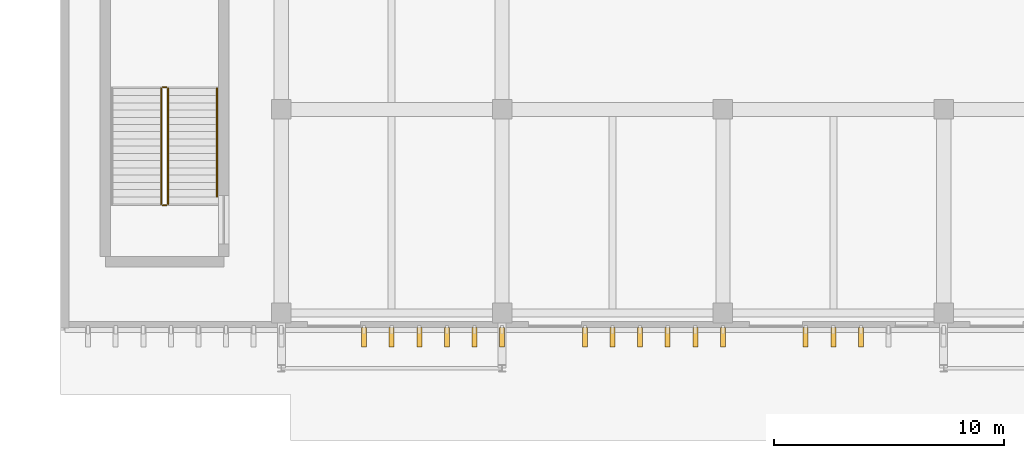
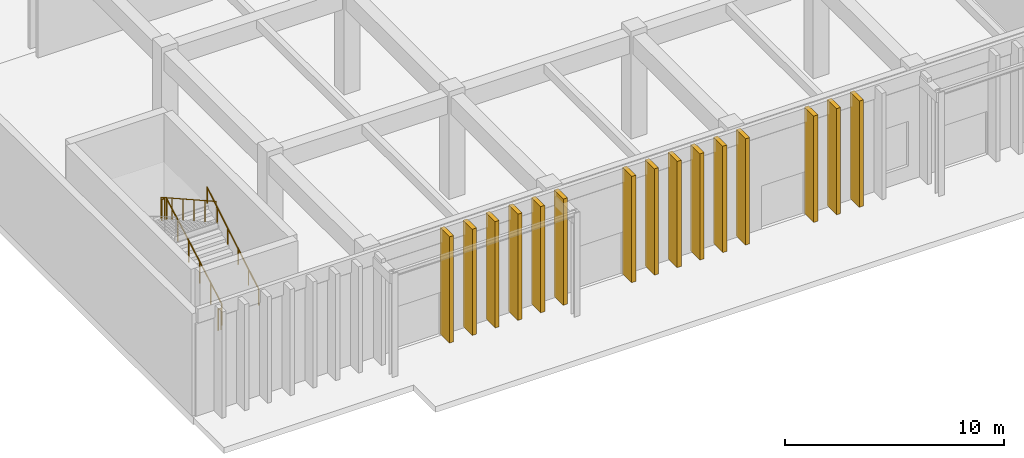
# One storey, part 63 of 87: 15 coverings, 15 shading devices, 5 railings.
"""IFC4 building model written with IfcOpenShell, lengths in metres."""

from ifc_helpers import new_model, si_unit, direction, frame, origin, origin_2d, place, context, subcontext, project, spatial, rectangle, circle, extrude, material, layer, layer_set, type_object, element, save


model = new_model("IFC4")

# Units and contexts
model_context = context("Model", 3, precision=1e-05, world=origin(), true_north=direction((0.0, 1.0)))
body_context = subcontext(model_context, "Body", "Model", "MODEL_VIEW")
ifc_project = project(units=[si_unit("LENGTHUNIT", "METRE"), si_unit("AREAUNIT", "SQUARE_METRE"), si_unit("VOLUMEUNIT", "CUBIC_METRE"), si_unit("PLANEANGLEUNIT", "RADIAN"), si_unit("MASSUNIT", "GRAM", prefix="KILO")], contexts=[model_context])

# Site, building, storey
site_placement = place(None, origin())
site = spatial("IfcSite", under=ifc_project, at=site_placement, CompositionType="ELEMENT")
building_placement = place(site_placement, origin())
building = spatial("IfcBuilding", under=site, at=building_placement, Name="Nakhvara Creek Congress Hotel", CompositionType="ELEMENT")
storey_placement = place(building_placement, origin())
storey = spatial("IfcBuildingStorey", under=building, at=storey_placement, Name="L00", CompositionType="ELEMENT", Elevation=0.0)

# Coverings
ifc_material_1 = material(Name="Honed pale Omani limestone architectural cladding", Category="masonry")
ifc_layer = layer(ifc_material_1, 0.219970703125)
ifc_layer_set = layer_set([ifc_layer], Name="Honed pale Omani limestone architectural cladding")
covering_type = type_object("IfcCoveringType", Name="COV-FIN-850", PredefinedType="CLADDING", material=ifc_layer_set)
for number, where, z_axis, x_axis, name in (
    (1, (70.800048828125, -0.304931640625, 0.0), (0.0, 0.0, 1.0), (1.0, 0.0, 0.0), "Pale Limestone Fin Cladding CF01-0050"),
    (2, (72.0, -0.304931640625, 0.0), (0.0, 0.0, 1.0), (1.0, 0.0, 0.0), "Pale Limestone Fin Cladding CF01-0051"),
    (3, (73.199951171875, -0.304931640625, 0.0), (0.0, 0.0, 1.0), (1.0, 0.0, 0.0), "Pale Limestone Fin Cladding CF01-0052"),
    (4, (74.39990234375, -0.304931640625, 0.0), (0.0, 0.0, 1.0), (1.0, 0.0, 0.0), "Pale Limestone Fin Cladding CF01-0053"),
    (5, (75.60009765625, -0.304931640625, 0.0), (0.0, 0.0, 1.0), (1.0, 0.0, 0.0), "Pale Limestone Fin Cladding CF01-0054"),
    (6, (76.800048828125, -0.304931640625, 0.0), (0.0, 0.0, 1.0), (1.0, 0.0, 0.0), "Pale Limestone Fin Cladding CF01-0055"),
    (7, (80.39990234375, -0.304931640625, 0.0), (0.0, 0.0, 1.0), (1.0, 0.0, 0.0), "Pale Limestone Fin Cladding CF01-0056"),
    (8, (81.60009765625, -0.304931640625, 0.0), (0.0, 0.0, 1.0), (1.0, 0.0, 0.0), "Pale Limestone Fin Cladding CF01-0057"),
    (9, (82.800048828125, -0.304931640625, 0.0), (0.0, 0.0, 1.0), (1.0, 0.0, 0.0), "Pale Limestone Fin Cladding CF01-0058"),
    (10, (84.0, -0.304931640625, 0.0), (0.0, 0.0, 1.0), (1.0, 0.0, 0.0), "Pale Limestone Fin Cladding CF01-0059"),
    (11, (85.199951171875, -0.304931640625, 0.0), (0.0, 0.0, 1.0), (1.0, 0.0, 0.0), "Pale Limestone Fin Cladding CF01-0060"),
    (12, (86.39990234375, -0.304931640625, 0.0), (0.0, 0.0, 1.0), (1.0, 0.0, 0.0), "Pale Limestone Fin Cladding CF01-0061"),
    (13, (90.0, -0.304931640625, 0.0), (0.0, 0.0, 1.0), (1.0, 0.0, 0.0), "Pale Limestone Fin Cladding CF01-0062"),
    (14, (91.199951171875, -0.304931640625, 0.0), (0.0, 0.0, 1.0), (1.0, 0.0, 0.0), "Pale Limestone Fin Cladding CF01-0063"),
    (15, (92.39990234375, -0.304931640625, 0.0), (0.0, 0.0, 1.0), (1.0, 0.0, 0.0), "Pale Limestone Fin Cladding CF01-0064"),
):
    element("IfcCovering", number, at=place(storey_placement, frame(where, z_axis=z_axis, x_axis=x_axis)), inside=storey, type_object=covering_type, Name=name, PredefinedType="CLADDING", context=body_context, shape_type="SweptSolid", body=[
        extrude(rectangle(XDim=0.219970703125, YDim=0.85009765625, at=origin_2d()), origin(), (0.0, 0.0, 1.0), 5.919921875),
    ])

# Railings
ifc_material_2 = material(Name="Brushed stainless steel 316L", Category="steel")
railing_type_1 = type_object("IfcRailingType", Name="RL-GUARD-1200", PredefinedType="GUARDRAIL", material=ifc_material_2)
railing_1_placement = place(storey_placement, frame((62.27490234375, 5.47998046875, 0.176513671875)))
element("IfcRailing", 16, at=railing_1_placement, inside=storey, type_object=railing_type_1, Name="L00 ST11 stair guard 1", PredefinedType="GUARDRAIL", context=body_context, shape_type="SweptSolid", body=[
    extrude(circle(Radius=0.02392578125, at=origin_2d()), frame((0.0, 0.012939453125, 1.18310546875), z_axis=(0.0, 0.872427454555, 0.488743630688), x_axis=(-1.0, 0.0, 0.0)), (0.0, 0.0, 1.0), 5.74755859375),
    extrude(circle(Radius=0.02099609375, at=origin_2d()), origin(), (0.0, 0.0, 1.0), 1.1806640625),
    extrude(circle(Radius=0.02099609375, at=origin_2d()), frame((0.0, 1.008056640625, 0.564697265625)), (0.0, 0.0, 1.0), 1.1806640625),
    extrude(circle(Radius=0.02099609375, at=origin_2d()), frame((0.0, 2.01611328125, 1.12939453125)), (0.0, 0.0, 1.0), 1.1806640625),
    extrude(circle(Radius=0.02099609375, at=origin_2d()), frame((0.0, 3.02392578125, 1.694091796875)), (0.0, 0.0, 1.0), 1.1806640625),
    extrude(circle(Radius=0.02099609375, at=origin_2d()), frame((0.0, 4.031982421875, 2.2587890625)), (0.0, 0.0, 1.0), 1.1806640625),
    extrude(circle(Radius=0.02099609375, at=origin_2d()), frame((0.0, 5.0400390625, 2.823486328125)), (0.0, 0.0, 1.0), 1.1806640625),
])
railing_2_placement = place(storey_placement, frame((62.199951171875, 10.570068359375, 3.0)))
element("IfcRailing", 17, at=railing_2_placement, inside=storey, type_object=railing_type_1, Name="L00 ST11 stair guard 2", PredefinedType="GUARDRAIL", context=body_context, shape_type="SweptSolid", body=[
    extrude(circle(Radius=0.02392578125, at=origin_2d()), frame((-0.0146484375, 0.0, 1.17578125), z_axis=(-1.0, 0.0, 0.0), x_axis=(0.0, -1.0, 0.0)), (0.0, 0.0, 1.0), 0.12060546875),
    extrude(circle(Radius=0.02099609375, at=origin_2d()), origin(), (0.0, 0.0, 1.0), 1.1806640625),
    extrude(circle(Radius=0.02099609375, at=origin_2d()), frame((-0.14990234375, 0.0, 0.0)), (0.0, 0.0, 1.0), 1.1806640625),
])
railing_3_placement = place(storey_placement, frame((61.97509765625, 10.52001953125, 3.176513671875)))
element("IfcRailing", 18, at=railing_3_placement, inside=storey, type_object=railing_type_1, Name="L00 ST11 stair guard 3", PredefinedType="GUARDRAIL", context=body_context, shape_type="SweptSolid", body=[
    extrude(circle(Radius=0.02392578125, at=origin_2d()), frame((0.0, -0.012939453125, 1.18310546875), z_axis=(0.0, -0.872427454555, 0.488743630688), x_axis=(1.0, 0.0, 0.0)), (0.0, 0.0, 1.0), 5.74755859375),
    extrude(circle(Radius=0.02099609375, at=origin_2d()), origin(), (0.0, 0.0, 1.0), 1.1806640625),
    extrude(circle(Radius=0.02099609375, at=origin_2d()), frame((0.0, -1.008056640625, 0.564697265625)), (0.0, 0.0, 1.0), 1.1806640625),
    extrude(circle(Radius=0.02099609375, at=origin_2d()), frame((0.0, -2.01611328125, 1.12939453125)), (0.0, 0.0, 1.0), 1.1806640625),
    extrude(circle(Radius=0.02099609375, at=origin_2d()), frame((0.0, -3.02392578125, 1.694091796875)), (0.0, 0.0, 1.0), 1.1806640625),
    extrude(circle(Radius=0.02099609375, at=origin_2d()), frame((0.0, -4.031982421875, 2.2587890625)), (0.0, 0.0, 1.0), 1.1806640625),
    extrude(circle(Radius=0.02099609375, at=origin_2d()), frame((0.0, -5.0400390625, 2.823486328125)), (0.0, 0.0, 1.0), 1.1806640625),
])
railing_4_placement = place(storey_placement, frame((62.199951171875, 5.429931640625, 0.0)))
element("IfcRailing", 19, at=railing_4_placement, inside=storey, type_object=railing_type_1, Name="L00 ST11 stair guard 4", PredefinedType="GUARDRAIL", context=body_context, shape_type="SweptSolid", body=[
    extrude(circle(Radius=0.02392578125, at=origin_2d()), frame((-0.0146484375, 0.0, 1.17578125), z_axis=(-1.0, 0.0, 0.0), x_axis=(0.0, -1.0, 0.0)), (0.0, 0.0, 1.0), 0.12060546875),
    extrude(circle(Radius=0.02099609375, at=origin_2d()), origin(), (0.0, 0.0, 1.0), 1.1806640625),
    extrude(circle(Radius=0.02099609375, at=origin_2d()), frame((-0.14990234375, 0.0, 0.0)), (0.0, 0.0, 1.0), 1.1806640625),
])
railing_type_2 = type_object("IfcRailingType", Name="RL-HAND-900", PredefinedType="HANDRAIL", material=ifc_material_2)
railing_5_placement = place(storey_placement, frame((64.405029296875, 5.794921875, 0.35302734375)))
element("IfcRailing", 20, at=railing_5_placement, inside=storey, type_object=railing_type_2, Name="L00 ST11 stair handrail 1", PredefinedType="HANDRAIL", context=body_context, shape_type="SweptSolid", body=[
    extrude(circle(Radius=0.02392578125, at=origin_2d()), frame((0.0, 0.0126953125, 0.88330078125), z_axis=(0.0, 0.857539836654, 0.514417562445), x_axis=(-1.0, 0.0, 0.0)), (0.0, 0.0, 1.0), 5.480712890625),
    extrude(circle(Radius=0.02099609375, at=origin_2d()), origin(), (0.0, 0.0, 1.0), 0.880615234375),
    extrude(circle(Radius=0.02099609375, at=origin_2d()), frame((0.0, 0.945068359375, 0.56689453125)), (0.0, 0.0, 1.0), 0.880615234375),
    extrude(circle(Radius=0.02099609375, at=origin_2d()), frame((0.0, 1.89013671875, 1.1337890625)), (0.0, 0.0, 1.0), 0.880615234375),
    extrude(circle(Radius=0.02099609375, at=origin_2d()), frame((0.0, 2.8349609375, 1.70068359375)), (0.0, 0.0, 1.0), 0.880615234375),
    extrude(circle(Radius=0.02099609375, at=origin_2d()), frame((0.0, 3.780029296875, 2.267578125)), (0.0, 0.0, 1.0), 0.880615234375),
    extrude(circle(Radius=0.02099609375, at=origin_2d()), frame((0.0, 4.72509765625, 2.83447265625)), (0.0, 0.0, 1.0), 0.880615234375),
])

# Shading devices
ifc_material_3 = material(Name="Honed pale Omani limestone cladding on stainless steel spine", Category="masonry")
shading_device_type = type_object("IfcShadingDeviceType", Name="SHD-FIN-850X5800", PredefinedType="USERDEFINED", material=ifc_material_3)
for number, where, z_axis, x_axis, name in (
    (21, (70.800048828125, -0.304931640625, 0.0), (0.0, 0.0, 1.0), (1.0, 0.0, 0.0), "Limestone Solar Fin FN03-0050"),
    (22, (72.0, -0.304931640625, 0.0), (0.0, 0.0, 1.0), (1.0, 0.0, 0.0), "Limestone Solar Fin FN03-0051"),
    (23, (73.199951171875, -0.304931640625, 0.0), (0.0, 0.0, 1.0), (1.0, 0.0, 0.0), "Limestone Solar Fin FN03-0052"),
    (24, (74.39990234375, -0.304931640625, 0.0), (0.0, 0.0, 1.0), (1.0, 0.0, 0.0), "Limestone Solar Fin FN03-0053"),
    (25, (75.60009765625, -0.304931640625, 0.0), (0.0, 0.0, 1.0), (1.0, 0.0, 0.0), "Limestone Solar Fin FN03-0054"),
    (26, (76.800048828125, -0.304931640625, 0.0), (0.0, 0.0, 1.0), (1.0, 0.0, 0.0), "Limestone Solar Fin FN03-0055"),
    (27, (80.39990234375, -0.304931640625, 0.0), (0.0, 0.0, 1.0), (1.0, 0.0, 0.0), "Limestone Solar Fin FN03-0056"),
    (28, (81.60009765625, -0.304931640625, 0.0), (0.0, 0.0, 1.0), (1.0, 0.0, 0.0), "Limestone Solar Fin FN03-0057"),
    (29, (82.800048828125, -0.304931640625, 0.0), (0.0, 0.0, 1.0), (1.0, 0.0, 0.0), "Limestone Solar Fin FN03-0058"),
    (30, (84.0, -0.304931640625, 0.0), (0.0, 0.0, 1.0), (1.0, 0.0, 0.0), "Limestone Solar Fin FN03-0059"),
    (31, (85.199951171875, -0.304931640625, 0.0), (0.0, 0.0, 1.0), (1.0, 0.0, 0.0), "Limestone Solar Fin FN03-0060"),
    (32, (86.39990234375, -0.304931640625, 0.0), (0.0, 0.0, 1.0), (1.0, 0.0, 0.0), "Limestone Solar Fin FN03-0061"),
    (33, (90.0, -0.304931640625, 0.0), (0.0, 0.0, 1.0), (1.0, 0.0, 0.0), "Limestone Solar Fin FN03-0062"),
    (34, (91.199951171875, -0.304931640625, 0.0), (0.0, 0.0, 1.0), (1.0, 0.0, 0.0), "Limestone Solar Fin FN03-0063"),
    (35, (92.39990234375, -0.304931640625, 0.0), (0.0, 0.0, 1.0), (1.0, 0.0, 0.0), "Limestone Solar Fin FN03-0064"),
):
    element("IfcShadingDevice", number, at=place(storey_placement, frame(where, z_axis=z_axis, x_axis=x_axis)), inside=storey, type_object=shading_device_type, Name=name, ObjectType="FIN", PredefinedType="USERDEFINED", context=body_context, shape_type="SweptSolid", body=[
        extrude(rectangle(XDim=0.219970703125, YDim=0.85009765625, at=origin_2d()), origin(), (0.0, 0.0, 1.0), 5.919921875),
    ])

save(model, "model.ifc")
